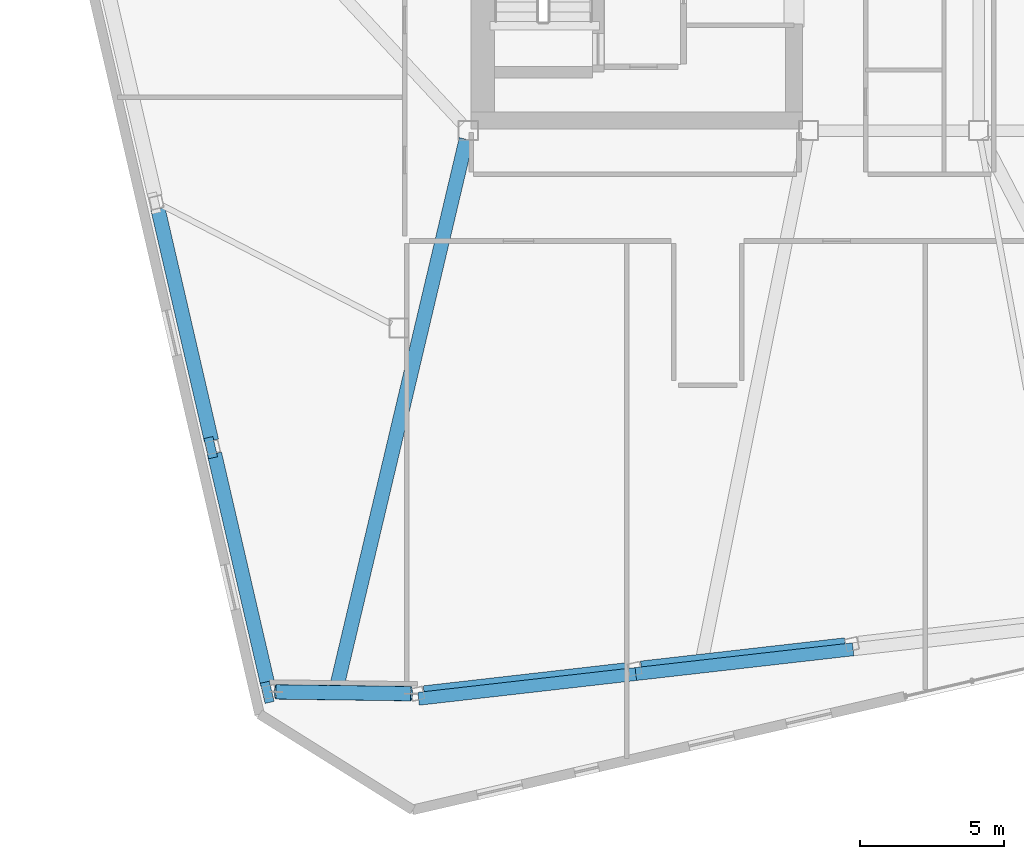
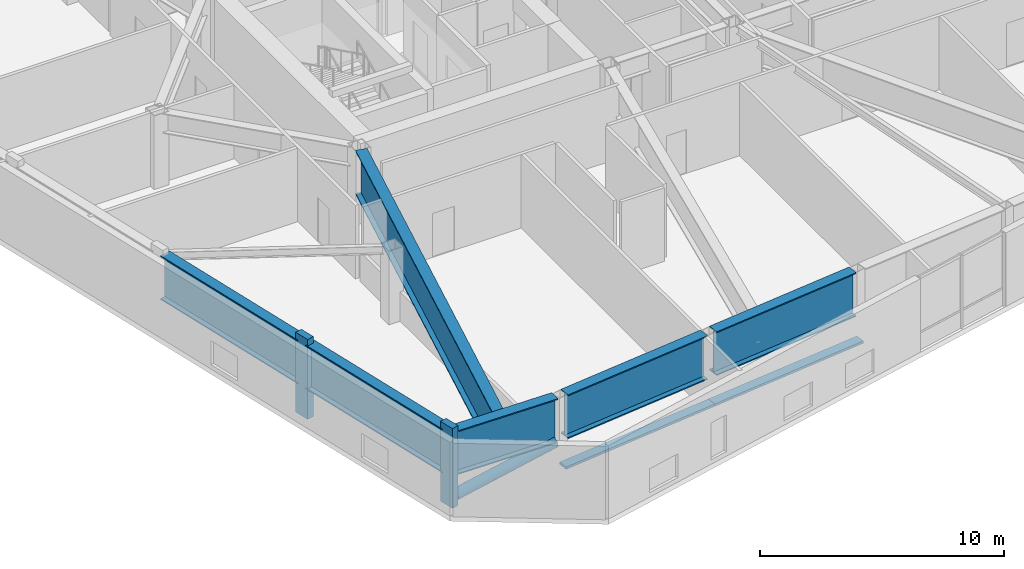
# One storey, part 4 of 23: 6 beams, 5 members.
"""IFC4 building model written with IfcOpenShell, lengths in metres."""

from ifc_helpers import new_model, si_unit, direction, frame, origin, origin_2d, place, context, subcontext, project, spatial, rectangle, hollow_circle, i_section, extrude, material, material_profile, profile_set, type_object, element, save


model = new_model("IFC4")

# Units and contexts
model_context = context("Model", 3, precision=1e-05, world=origin(), true_north=direction((0.0, 1.0)))
body_context = subcontext(model_context, "Body", "Model", "MODEL_VIEW")
ifc_project = project(units=[si_unit("LENGTHUNIT", "METRE"), si_unit("AREAUNIT", "SQUARE_METRE"), si_unit("VOLUMEUNIT", "CUBIC_METRE"), si_unit("PLANEANGLEUNIT", "RADIAN"), si_unit("MASSUNIT", "GRAM", prefix="KILO")], contexts=[model_context])

# Site, building, storey
site_placement = place(None, origin())
site = spatial("IfcSite", under=ifc_project, at=site_placement, CompositionType="ELEMENT")
building_placement = place(site_placement, origin())
building = spatial("IfcBuilding", under=site, at=building_placement, Name="Tavrogorsk Clinical Tower", CompositionType="ELEMENT")
storey_placement = place(building_placement, frame((0.0, 0.0, 329.0)))
storey = spatial("IfcBuildingStorey", under=building, at=storey_placement, Name="L77", CompositionType="ELEMENT", Elevation=329.0)

# Members
ifc_material_1 = material(Name="Anodised aluminium alloy AW-6063", Category="aluminium")
ifc_material_profile_1 = material_profile(ifc_material_1, rectangle(XDim=0.449951171875, YDim=0.1201171875, at=origin_2d()), Name="ALU-SUNSHADE-450x120")
ifc_profile_set_1 = profile_set([ifc_material_profile_1], Name="Anodised aluminium alloy AW-6063")
member_type_1 = type_object("IfcMemberType", Name="ChicagoSunshade_450x120", PredefinedType="USERDEFINED", material=ifc_profile_set_1)
member_1_placement = place(storey_placement, frame((-23.826416015625, -26.061279296875, 0.179931640625), z_axis=(0.993572551544, 0.113197106051, 0.0), x_axis=(-0.113197106051, 0.993572551544, 0.0)))
element("IfcMember", 1, at=member_1_placement, inside=storey, type_object=member_type_1, Name="L77 South Aluminium Sunshade S1", ObjectType="SUNSHADE", PredefinedType="USERDEFINED", context=body_context, shape_type="SweptSolid", body=[
    extrude(rectangle(XDim=0.449951171875, YDim=0.1201171875, at=origin_2d()), origin(), (0.0, 0.0, 1.0), 7.58544921875),
])
member_2_placement = place(storey_placement, frame((-16.289794921875, -25.20263671875, 0.179931640625), z_axis=(0.99357213911, 0.113200726076, 0.0), x_axis=(-0.113200726076, 0.99357213911, 0.0)))
element("IfcMember", 2, at=member_2_placement, inside=storey, type_object=member_type_1, Name="L77 South Aluminium Sunshade S2", ObjectType="SUNSHADE", PredefinedType="USERDEFINED", context=body_context, shape_type="SweptSolid", body=[
    extrude(rectangle(XDim=0.449951171875, YDim=0.1201171875, at=origin_2d()), origin(), (0.0, 0.0, 1.0), 7.585205078125),
])
ifc_material_2 = material(Name="Structural steel S440", Category="steel")
ifc_material_profile_2 = material_profile(ifc_material_2, hollow_circle(Radius=0.25390625, WallThickness=0.02001953125, at=origin_2d()), Name="CHS-508x20")
ifc_profile_set_2 = profile_set([ifc_material_profile_2], Name="Structural steel S440")
member_type_2 = type_object("IfcMemberType", Name="ExoBrace_CHS508", PredefinedType="BRACE", material=ifc_profile_set_2)
member_3_placement = place(storey_placement, frame((-28.77099609375, -25.822021484375, 0.35009765625), z_axis=(0.976524035829, -0.012694047764, 0.215034110317), x_axis=(0.012998118752, 0.999915520886, 0.0)))
element("IfcMember", 3, at=member_3_placement, inside=storey, type_object=member_type_2, Name="L77 Corner Exoskeleton Brace W5-S1", PredefinedType="BRACE", context=body_context, shape_type="SweptSolid", body=[
    extrude(hollow_circle(Radius=0.25390625, WallThickness=0.02001953125, at=origin_2d()), origin(), (0.0, 0.0, 1.0), 4.788818359375),
])
ifc_material_3 = material(Name="Precast concrete B45 with limestone cladding", Category="masonry")
ifc_material_profile_3 = material_profile(ifc_material_3, rectangle(XDim=0.320068359375, YDim=0.719970703125, at=origin_2d()), Name="LIMESTONE-FIN-320x720")
ifc_profile_set_3 = profile_set([ifc_material_profile_3], Name="Precast concrete B45 with limestone cladding")
member_type_3 = type_object("IfcMemberType", Name="LimestonePleatFin_320x720", PredefinedType="USERDEFINED", material=ifc_profile_set_3)
for number, where, z_axis, x_axis, name in (
    (4, (-31.035888671875, -17.35009765625, 0.0), (0.0, 0.0, 1.0), (0.974370064785, 0.224951054344, 0.0), "L77 W Pleated Stone Fin 3"),
    (5, (-29.07666015625, -25.8369140625, 0.0), (0.0, 0.0, 1.0), (0.974370064785, 0.224951054344, 0.0), "L77 W Pleated Stone Fin 4"),
):
    element("IfcMember", number, at=place(storey_placement, frame(where, z_axis=z_axis, x_axis=x_axis)), inside=storey, type_object=member_type_3, Name=name, ObjectType="FIN", PredefinedType="USERDEFINED", context=body_context, shape_type="SweptSolid", body=[
        extrude(rectangle(XDim=0.320068359375, YDim=0.719970703125, at=origin_2d()), origin(), (0.0, 0.0, 1.0), 4.0),
    ])

# Beams
ifc_material_4 = material(Name="Structural steel S440", Category="steel")
ifc_material_profile_4 = material_profile(ifc_material_4, i_section(OverallWidth=0.5, OverallDepth=2.199951171875, WebThickness=0.035888671875, FlangeThickness=0.054931640625, at=origin_2d()), Name="DK-2200x500x36x55")
ifc_profile_set_4 = profile_set([ifc_material_profile_4], Name="Structural steel S440")
beam_type = type_object("IfcBeamType", Name="TransferGirder_DK2200", PredefinedType="USERDEFINED", material=ifc_profile_set_4)
for number, where, z_axis, x_axis, name in (
    (6, (-23.635498046875, -25.859375, 2.580078125), (0.993572073137, 0.113201305126, 0.0), (-0.113201305126, 0.993572073137, 0.0), "L77 Perimeter Spandrel S1-S2"),
    (7, (-16.098876953125, -25.000732421875, 2.580078125), (0.993572073137, 0.113201305126, 0.0), (-0.113201305126, 0.993572073137, 0.0), "L77 Perimeter Spandrel S2-S3"),
):
    element("IfcBeam", number, at=place(storey_placement, frame(where, z_axis=z_axis, x_axis=x_axis)), inside=storey, type_object=beam_type, Name=name, ObjectType="GIRDER", PredefinedType="USERDEFINED", context=body_context, shape_type="SweptSolid", body=[
        extrude(i_section(OverallWidth=0.5, OverallDepth=2.199951171875, WebThickness=0.035888671875, FlangeThickness=0.054931640625, at=origin_2d()), origin(), (0.0, 0.0, 1.0), 7.119140625),
    ])
beam_1_placement = place(storey_placement, frame((-32.864990234375, -9.072509765625, 2.580078125), z_axis=(0.224978460613, -0.974363737144, 0.0), x_axis=(0.974363737144, 0.224978460613, 0.0)))
element("IfcBeam", 8, at=beam_1_placement, inside=storey, type_object=beam_type, Name="L77 Perimeter Spandrel W3-W4", ObjectType="GIRDER", PredefinedType="USERDEFINED", context=body_context, shape_type="SweptSolid", body=[
    extrude(i_section(OverallWidth=0.5, OverallDepth=2.199951171875, WebThickness=0.035888671875, FlangeThickness=0.054931640625, at=origin_2d()), origin(), (0.0, 0.0, 1.0), 8.244140625),
])
beam_2_placement = place(storey_placement, frame((-30.905517578125, -17.559326171875, 2.580078125), z_axis=(0.224950345141, -0.974370228517, 0.0), x_axis=(0.974370228517, 0.224950345141, 0.0)))
element("IfcBeam", 9, at=beam_2_placement, inside=storey, type_object=beam_type, Name="L77 Perimeter Spandrel W4-W5", ObjectType="GIRDER", PredefinedType="USERDEFINED", context=body_context, shape_type="SweptSolid", body=[
    extrude(i_section(OverallWidth=0.5, OverallDepth=2.199951171875, WebThickness=0.035888671875, FlangeThickness=0.054931640625, at=origin_2d()), origin(), (0.0, 0.0, 1.0), 8.243896484375),
])
beam_3_placement = place(storey_placement, frame((-28.765625, -25.822021484375, 2.580078125), z_axis=(0.999915131489, -0.013028039754, 0.0), x_axis=(0.013028039754, 0.999915131489, 0.0)))
element("IfcBeam", 10, at=beam_3_placement, inside=storey, type_object=beam_type, Name="L77 Perimeter Spandrel W5-S1", ObjectType="GIRDER", PredefinedType="USERDEFINED", context=body_context, shape_type="SweptSolid", body=[
    extrude(i_section(OverallWidth=0.5, OverallDepth=2.199951171875, WebThickness=0.035888671875, FlangeThickness=0.054931640625, at=origin_2d()), origin(), (0.0, 0.0, 1.0), 4.666259765625),
])
beam_4_placement = place(storey_placement, frame((-22.17138671875, -6.651611328125, 2.580078125), z_axis=(-0.230204249745, -0.973142334604, 0.0), x_axis=(0.973142334604, -0.230204249745, 0.0)))
element("IfcBeam", 11, at=beam_4_placement, inside=storey, type_object=beam_type, Name="L78 Crown Base Transfer Girder 01", ObjectType="GIRDER", PredefinedType="USERDEFINED", context=body_context, shape_type="SweptSolid", body=[
    extrude(i_section(OverallWidth=0.5, OverallDepth=2.199951171875, WebThickness=0.035888671875, FlangeThickness=0.054931640625, at=origin_2d()), origin(), (0.0, 0.0, 1.0), 19.72705078125),
])

save(model, "model.ifc")
